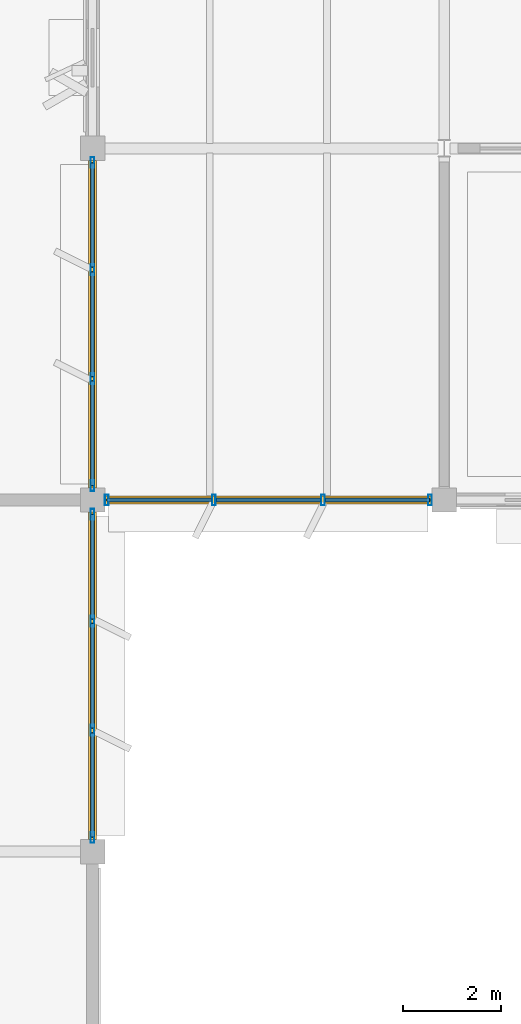
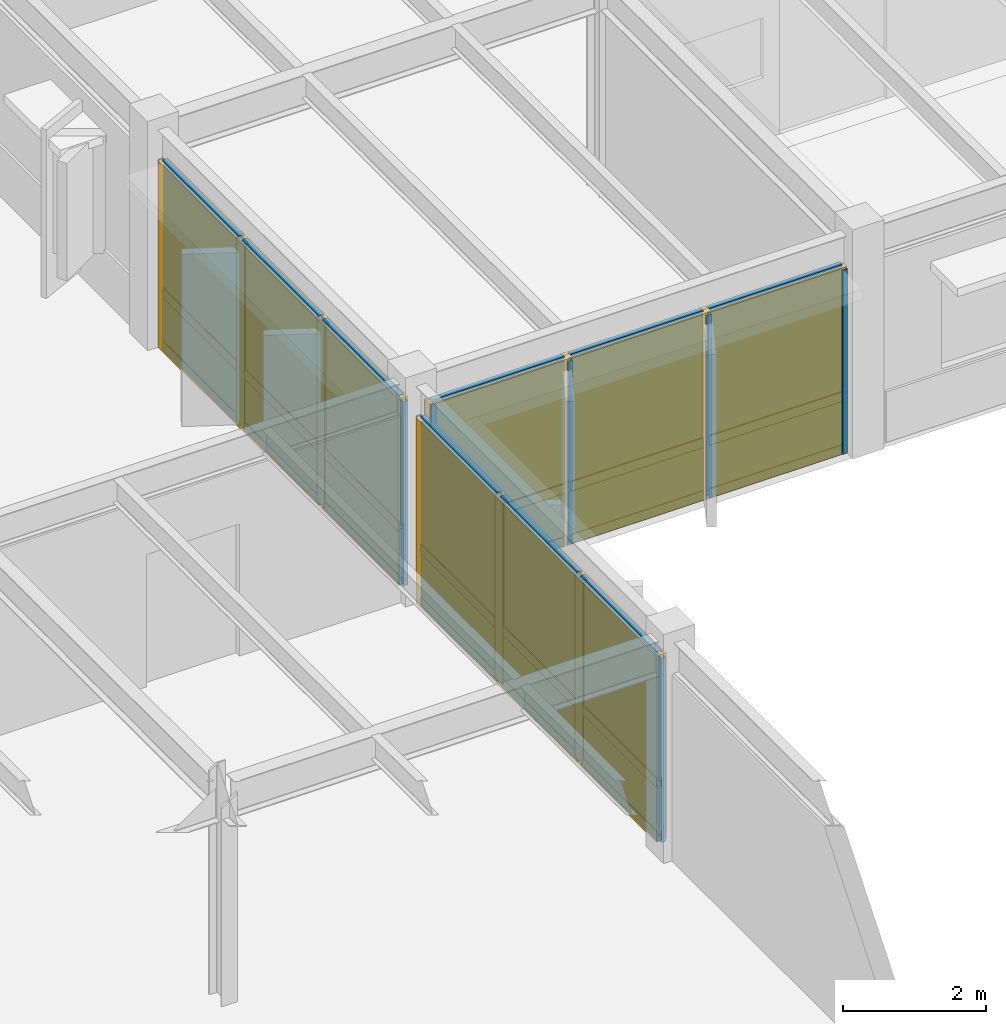
# One storey, part 20 of 35: 39 members, 18 plates, 3 curtain walls.
"""IFC4 building model written with IfcOpenShell, lengths in metres."""

from ifc_helpers import new_model, si_unit, direction, frame, origin, origin_2d, place, context, subcontext, project, spatial, rectangle, hollow_rectangle, extrude, material, layer, layer_set, material_profile, profile_set, type_object, element, aggregate, save


model = new_model("IFC4")

# Units and contexts
model_context = context("Model", 3, precision=1e-05, world=origin(), true_north=direction((0.0, 1.0)))
body_context = subcontext(model_context, "Body", "Model", "MODEL_VIEW")
ifc_project = project(units=[si_unit("LENGTHUNIT", "METRE"), si_unit("AREAUNIT", "SQUARE_METRE"), si_unit("VOLUMEUNIT", "CUBIC_METRE"), si_unit("PLANEANGLEUNIT", "RADIAN"), si_unit("MASSUNIT", "GRAM", prefix="KILO")], contexts=[model_context])

# Member
ifc_material_1 = material(Name="Anodized Aluminium 6063-T6", Category="aluminium")
ifc_material_profile_1 = material_profile(ifc_material_1, hollow_rectangle(XDim=0.074951171875, YDim=0.219970703125, WallThickness=0.0048828125, at=origin_2d()), Name="ALU 75x220x5")
ifc_profile_set_1 = profile_set([ifc_material_profile_1], Name="Anodized Aluminium 6063-T6")
member_type_1 = type_object("IfcMemberType", Name="CWM-75X180", PredefinedType="MULLION", material=ifc_profile_set_1)
site_placement = place(None, origin())
building_placement = place(site_placement, origin())
storey_placement = place(building_placement, frame((0.0, 0.0, 18.0)))
member_1_placement = place(storey_placement, frame((36.0, 78.909912109375, 0.02001953125), z_axis=(0.0, 0.0, 1.0), x_axis=(1.0, 0.0, 0.0)))
member_1 = element("IfcMember", 1, at=member_1_placement, type_object=member_type_1, Name="Curtain wall mullion CW-L05-04-10-E-00", PredefinedType="MULLION", context=body_context, shape_type="SweptSolid", body=[
    extrude(hollow_rectangle(XDim=0.074951171875, YDim=0.219970703125, WallThickness=0.0048828125, at=origin_2d()), origin(), (0.0, 0.0, 1.0), 3.132080078125),
])

member_2_placement = place(storey_placement, frame((36.0, 76.716796875, 0.02001953125), z_axis=(0.0, 0.0, 1.0), x_axis=(1.0, 0.0, 0.0)))
member_2 = element("IfcMember", 2, at=member_2_placement, type_object=member_type_1, Name="Curtain wall mullion CW-L05-04-10-E-01", PredefinedType="MULLION", context=body_context, shape_type="SweptSolid", body=[
    extrude(hollow_rectangle(XDim=0.074951171875, YDim=0.219970703125, WallThickness=0.0048828125, at=origin_2d()), origin(), (0.0, 0.0, 1.0), 3.132080078125),
])

member_3_placement = place(storey_placement, frame((36.0, 74.4833984375, 0.02001953125), z_axis=(0.0, 0.0, 1.0), x_axis=(1.0, 0.0, 0.0)))
member_3 = element("IfcMember", 3, at=member_3_placement, type_object=member_type_1, Name="Curtain wall mullion CW-L05-04-10-E-02", PredefinedType="MULLION", context=body_context, shape_type="SweptSolid", body=[
    extrude(hollow_rectangle(XDim=0.074951171875, YDim=0.219970703125, WallThickness=0.0048828125, at=origin_2d()), origin(), (0.0, 0.0, 1.0), 3.132080078125),
])

member_4_placement = place(storey_placement, frame((36.0, 72.2900390625, 0.02001953125), z_axis=(0.0, 0.0, 1.0), x_axis=(1.0, 0.0, 0.0)))
member_4 = element("IfcMember", 4, at=member_4_placement, type_object=member_type_1, Name="Curtain wall mullion CW-L05-04-10-E-03", PredefinedType="MULLION", context=body_context, shape_type="SweptSolid", body=[
    extrude(hollow_rectangle(XDim=0.074951171875, YDim=0.219970703125, WallThickness=0.0048828125, at=origin_2d()), origin(), (0.0, 0.0, 1.0), 3.132080078125),
])

member_5_placement = place(storey_placement, frame((42.909912109375, 79.199951171875, 0.02001953125), z_axis=(0.0, 0.0, 1.0), x_axis=(1.0, 0.0, 0.0)))
member_5 = element("IfcMember", 5, at=member_5_placement, type_object=member_type_1, Name="Curtain wall mullion CW-L05-05-11-S-00", PredefinedType="MULLION", context=body_context, shape_type="SweptSolid", body=[
    extrude(hollow_rectangle(XDim=0.074951171875, YDim=0.219970703125, WallThickness=0.0048828125, at=origin_2d()), origin(), (0.0, 0.0, 1.0), 3.132080078125),
])

member_6_placement = place(storey_placement, frame((40.716796875, 79.199951171875, 0.02001953125), z_axis=(0.0, 0.0, 1.0), x_axis=(1.0, 0.0, 0.0)))
member_6 = element("IfcMember", 6, at=member_6_placement, type_object=member_type_1, Name="Curtain wall mullion CW-L05-05-11-S-01", PredefinedType="MULLION", context=body_context, shape_type="SweptSolid", body=[
    extrude(hollow_rectangle(XDim=0.074951171875, YDim=0.219970703125, WallThickness=0.0048828125, at=origin_2d()), origin(), (0.0, 0.0, 1.0), 3.132080078125),
])

member_7_placement = place(storey_placement, frame((38.4833984375, 79.199951171875, 0.02001953125), z_axis=(0.0, 0.0, 1.0), x_axis=(1.0, 0.0, 0.0)))
member_7 = element("IfcMember", 7, at=member_7_placement, type_object=member_type_1, Name="Curtain wall mullion CW-L05-05-11-S-02", PredefinedType="MULLION", context=body_context, shape_type="SweptSolid", body=[
    extrude(hollow_rectangle(XDim=0.074951171875, YDim=0.219970703125, WallThickness=0.0048828125, at=origin_2d()), origin(), (0.0, 0.0, 1.0), 3.132080078125),
])

member_8_placement = place(storey_placement, frame((36.2900390625, 79.199951171875, 0.02001953125), z_axis=(0.0, 0.0, 1.0), x_axis=(1.0, 0.0, 0.0)))
member_8 = element("IfcMember", 8, at=member_8_placement, type_object=member_type_1, Name="Curtain wall mullion CW-L05-05-11-S-03", PredefinedType="MULLION", context=body_context, shape_type="SweptSolid", body=[
    extrude(hollow_rectangle(XDim=0.074951171875, YDim=0.219970703125, WallThickness=0.0048828125, at=origin_2d()), origin(), (0.0, 0.0, 1.0), 3.132080078125),
])

member_9_placement = place(storey_placement, frame((36.0, 79.489990234375, 0.02001953125), z_axis=(0.0, 0.0, 1.0), x_axis=(1.0, 0.0, 0.0)))
member_9 = element("IfcMember", 9, at=member_9_placement, type_object=member_type_1, Name="Curtain wall mullion CW-L05-05-11-W-00", PredefinedType="MULLION", context=body_context, shape_type="SweptSolid", body=[
    extrude(hollow_rectangle(XDim=0.074951171875, YDim=0.219970703125, WallThickness=0.0048828125, at=origin_2d()), origin(), (0.0, 0.0, 1.0), 3.132080078125),
])

member_10_placement = place(storey_placement, frame((36.0, 81.683349609375, 0.02001953125), z_axis=(0.0, 0.0, 1.0), x_axis=(1.0, 0.0, 0.0)))
member_10 = element("IfcMember", 10, at=member_10_placement, type_object=member_type_1, Name="Curtain wall mullion CW-L05-05-11-W-01", PredefinedType="MULLION", context=body_context, shape_type="SweptSolid", body=[
    extrude(hollow_rectangle(XDim=0.074951171875, YDim=0.219970703125, WallThickness=0.0048828125, at=origin_2d()), origin(), (0.0, 0.0, 1.0), 3.132080078125),
])

member_11_placement = place(storey_placement, frame((36.0, 83.916748046875, 0.02001953125), z_axis=(0.0, 0.0, 1.0), x_axis=(1.0, 0.0, 0.0)))
member_11 = element("IfcMember", 11, at=member_11_placement, type_object=member_type_1, Name="Curtain wall mullion CW-L05-05-11-W-02", PredefinedType="MULLION", context=body_context, shape_type="SweptSolid", body=[
    extrude(hollow_rectangle(XDim=0.074951171875, YDim=0.219970703125, WallThickness=0.0048828125, at=origin_2d()), origin(), (0.0, 0.0, 1.0), 3.132080078125),
])

member_12_placement = place(storey_placement, frame((36.0, 86.110107421875, 0.02001953125), z_axis=(0.0, 0.0, 1.0), x_axis=(1.0, 0.0, 0.0)))
member_12 = element("IfcMember", 12, at=member_12_placement, type_object=member_type_1, Name="Curtain wall mullion CW-L05-05-11-W-03", PredefinedType="MULLION", context=body_context, shape_type="SweptSolid", body=[
    extrude(hollow_rectangle(XDim=0.074951171875, YDim=0.219970703125, WallThickness=0.0048828125, at=origin_2d()), origin(), (0.0, 0.0, 1.0), 3.132080078125),
])

ifc_material_profile_2 = material_profile(ifc_material_1, hollow_rectangle(XDim=0.074951171875, YDim=0.159912109375, WallThickness=0.00390625, at=origin_2d()), Name="ALU 75x160x4")
ifc_profile_set_2 = profile_set([ifc_material_profile_2], Name="Anodized Aluminium 6063-T6")
member_type_2 = type_object("IfcMemberType", Name="CWT-75X150", PredefinedType="USERDEFINED", material=ifc_profile_set_2)
member_13_placement = place(storey_placement, frame((36.0, 78.89990234375, 0.050048828125), z_axis=(0.0, -1.0, 0.0), x_axis=(1.0, 0.0, 0.0)))
member_13 = element("IfcMember", 13, at=member_13_placement, type_object=member_type_2, Name="Curtain wall transom CW-L05-04-10-E-1.01", ObjectType="TRANSOM", PredefinedType="USERDEFINED", context=body_context, shape_type="SweptSolid", body=[
    extrude(hollow_rectangle(XDim=0.074951171875, YDim=0.159912109375, WallThickness=0.00390625, at=origin_2d()), origin(), (0.0, 0.0, 1.0), 2.13330078125),
])

member_14_placement = place(storey_placement, frame((36.0, 76.666748046875, 0.050048828125), z_axis=(0.0, -1.0, 0.0), x_axis=(1.0, 0.0, 0.0)))
member_14 = element("IfcMember", 14, at=member_14_placement, type_object=member_type_2, Name="Curtain wall transom CW-L05-04-10-E-1.02", ObjectType="TRANSOM", PredefinedType="USERDEFINED", context=body_context, shape_type="SweptSolid", body=[
    extrude(hollow_rectangle(XDim=0.074951171875, YDim=0.159912109375, WallThickness=0.00390625, at=origin_2d()), origin(), (0.0, 0.0, 1.0), 2.133544921875),
])

member_15_placement = place(storey_placement, frame((36.0, 74.433349609375, 0.050048828125), z_axis=(0.0, -1.0, 0.0), x_axis=(1.0, 0.0, 0.0)))
member_15 = element("IfcMember", 15, at=member_15_placement, type_object=member_type_2, Name="Curtain wall transom CW-L05-04-10-E-1.03", ObjectType="TRANSOM", PredefinedType="USERDEFINED", context=body_context, shape_type="SweptSolid", body=[
    extrude(hollow_rectangle(XDim=0.074951171875, YDim=0.159912109375, WallThickness=0.00390625, at=origin_2d()), origin(), (0.0, 0.0, 1.0), 2.13330078125),
])

member_16_placement = place(storey_placement, frame((36.0, 78.89990234375, 0.949951171875), z_axis=(0.0, -1.0, 0.0), x_axis=(1.0, 0.0, 0.0)))
member_16 = element("IfcMember", 16, at=member_16_placement, type_object=member_type_2, Name="Curtain wall transom CW-L05-04-10-E-2.01", ObjectType="TRANSOM", PredefinedType="USERDEFINED", context=body_context, shape_type="SweptSolid", body=[
    extrude(hollow_rectangle(XDim=0.074951171875, YDim=0.159912109375, WallThickness=0.00390625, at=origin_2d()), origin(), (0.0, 0.0, 1.0), 2.13330078125),
])

member_17_placement = place(storey_placement, frame((36.0, 76.666748046875, 0.949951171875), z_axis=(0.0, -1.0, 0.0), x_axis=(1.0, 0.0, 0.0)))
member_17 = element("IfcMember", 17, at=member_17_placement, type_object=member_type_2, Name="Curtain wall transom CW-L05-04-10-E-2.02", ObjectType="TRANSOM", PredefinedType="USERDEFINED", context=body_context, shape_type="SweptSolid", body=[
    extrude(hollow_rectangle(XDim=0.074951171875, YDim=0.159912109375, WallThickness=0.00390625, at=origin_2d()), origin(), (0.0, 0.0, 1.0), 2.133544921875),
])

member_18_placement = place(storey_placement, frame((36.0, 74.433349609375, 0.949951171875), z_axis=(0.0, -1.0, 0.0), x_axis=(1.0, 0.0, 0.0)))
member_18 = element("IfcMember", 18, at=member_18_placement, type_object=member_type_2, Name="Curtain wall transom CW-L05-04-10-E-2.03", ObjectType="TRANSOM", PredefinedType="USERDEFINED", context=body_context, shape_type="SweptSolid", body=[
    extrude(hollow_rectangle(XDim=0.074951171875, YDim=0.159912109375, WallThickness=0.00390625, at=origin_2d()), origin(), (0.0, 0.0, 1.0), 2.13330078125),
])

member_19_placement = place(storey_placement, frame((36.0, 78.89990234375, 3.1220703125), z_axis=(0.0, -1.0, 0.0), x_axis=(1.0, 0.0, 0.0)))
member_19 = element("IfcMember", 19, at=member_19_placement, type_object=member_type_2, Name="Curtain wall transom CW-L05-04-10-E-3.01", ObjectType="TRANSOM", PredefinedType="USERDEFINED", context=body_context, shape_type="SweptSolid", body=[
    extrude(hollow_rectangle(XDim=0.074951171875, YDim=0.159912109375, WallThickness=0.00390625, at=origin_2d()), origin(), (0.0, 0.0, 1.0), 2.13330078125),
])

member_20_placement = place(storey_placement, frame((36.0, 76.666748046875, 3.1220703125), z_axis=(0.0, -1.0, 0.0), x_axis=(1.0, 0.0, 0.0)))
member_20 = element("IfcMember", 20, at=member_20_placement, type_object=member_type_2, Name="Curtain wall transom CW-L05-04-10-E-3.02", ObjectType="TRANSOM", PredefinedType="USERDEFINED", context=body_context, shape_type="SweptSolid", body=[
    extrude(hollow_rectangle(XDim=0.074951171875, YDim=0.159912109375, WallThickness=0.00390625, at=origin_2d()), origin(), (0.0, 0.0, 1.0), 2.133544921875),
])

member_21_placement = place(storey_placement, frame((36.0, 74.433349609375, 3.1220703125), z_axis=(0.0, -1.0, 0.0), x_axis=(1.0, 0.0, 0.0)))
member_21 = element("IfcMember", 21, at=member_21_placement, type_object=member_type_2, Name="Curtain wall transom CW-L05-04-10-E-3.03", ObjectType="TRANSOM", PredefinedType="USERDEFINED", context=body_context, shape_type="SweptSolid", body=[
    extrude(hollow_rectangle(XDim=0.074951171875, YDim=0.159912109375, WallThickness=0.00390625, at=origin_2d()), origin(), (0.0, 0.0, 1.0), 2.13330078125),
])

member_22_placement = place(storey_placement, frame((42.89990234375, 79.199951171875, 0.050048828125), z_axis=(-1.0, 0.0, 0.0), x_axis=(0.0, -1.0, 0.0)))
member_22 = element("IfcMember", 22, at=member_22_placement, type_object=member_type_2, Name="Curtain wall transom CW-L05-05-11-S-1.01", ObjectType="TRANSOM", PredefinedType="USERDEFINED", context=body_context, shape_type="SweptSolid", body=[
    extrude(hollow_rectangle(XDim=0.074951171875, YDim=0.159912109375, WallThickness=0.00390625, at=origin_2d()), origin(), (0.0, 0.0, 1.0), 2.13330078125),
])

member_23_placement = place(storey_placement, frame((40.666748046875, 79.199951171875, 0.050048828125), z_axis=(-1.0, 0.0, 0.0), x_axis=(0.0, -1.0, 0.0)))
member_23 = element("IfcMember", 23, at=member_23_placement, type_object=member_type_2, Name="Curtain wall transom CW-L05-05-11-S-1.02", ObjectType="TRANSOM", PredefinedType="USERDEFINED", context=body_context, shape_type="SweptSolid", body=[
    extrude(hollow_rectangle(XDim=0.074951171875, YDim=0.159912109375, WallThickness=0.00390625, at=origin_2d()), origin(), (0.0, 0.0, 1.0), 2.133544921875),
])

member_24_placement = place(storey_placement, frame((38.433349609375, 79.199951171875, 0.050048828125), z_axis=(-1.0, 0.0, 0.0), x_axis=(0.0, -1.0, 0.0)))
member_24 = element("IfcMember", 24, at=member_24_placement, type_object=member_type_2, Name="Curtain wall transom CW-L05-05-11-S-1.03", ObjectType="TRANSOM", PredefinedType="USERDEFINED", context=body_context, shape_type="SweptSolid", body=[
    extrude(hollow_rectangle(XDim=0.074951171875, YDim=0.159912109375, WallThickness=0.00390625, at=origin_2d()), origin(), (0.0, 0.0, 1.0), 2.13330078125),
])

member_25_placement = place(storey_placement, frame((42.89990234375, 79.199951171875, 0.949951171875), z_axis=(-1.0, 0.0, 0.0), x_axis=(0.0, -1.0, 0.0)))
member_25 = element("IfcMember", 25, at=member_25_placement, type_object=member_type_2, Name="Curtain wall transom CW-L05-05-11-S-2.01", ObjectType="TRANSOM", PredefinedType="USERDEFINED", context=body_context, shape_type="SweptSolid", body=[
    extrude(hollow_rectangle(XDim=0.074951171875, YDim=0.159912109375, WallThickness=0.00390625, at=origin_2d()), origin(), (0.0, 0.0, 1.0), 2.13330078125),
])

member_26_placement = place(storey_placement, frame((40.666748046875, 79.199951171875, 0.949951171875), z_axis=(-1.0, 0.0, 0.0), x_axis=(0.0, -1.0, 0.0)))
member_26 = element("IfcMember", 26, at=member_26_placement, type_object=member_type_2, Name="Curtain wall transom CW-L05-05-11-S-2.02", ObjectType="TRANSOM", PredefinedType="USERDEFINED", context=body_context, shape_type="SweptSolid", body=[
    extrude(hollow_rectangle(XDim=0.074951171875, YDim=0.159912109375, WallThickness=0.00390625, at=origin_2d()), origin(), (0.0, 0.0, 1.0), 2.133544921875),
])

member_27_placement = place(storey_placement, frame((38.433349609375, 79.199951171875, 0.949951171875), z_axis=(-1.0, 0.0, 0.0), x_axis=(0.0, -1.0, 0.0)))
member_27 = element("IfcMember", 27, at=member_27_placement, type_object=member_type_2, Name="Curtain wall transom CW-L05-05-11-S-2.03", ObjectType="TRANSOM", PredefinedType="USERDEFINED", context=body_context, shape_type="SweptSolid", body=[
    extrude(hollow_rectangle(XDim=0.074951171875, YDim=0.159912109375, WallThickness=0.00390625, at=origin_2d()), origin(), (0.0, 0.0, 1.0), 2.13330078125),
])

member_28_placement = place(storey_placement, frame((42.89990234375, 79.199951171875, 3.1220703125), z_axis=(-1.0, 0.0, 0.0), x_axis=(0.0, -1.0, 0.0)))
member_28 = element("IfcMember", 28, at=member_28_placement, type_object=member_type_2, Name="Curtain wall transom CW-L05-05-11-S-3.01", ObjectType="TRANSOM", PredefinedType="USERDEFINED", context=body_context, shape_type="SweptSolid", body=[
    extrude(hollow_rectangle(XDim=0.074951171875, YDim=0.159912109375, WallThickness=0.00390625, at=origin_2d()), origin(), (0.0, 0.0, 1.0), 2.13330078125),
])

member_29_placement = place(storey_placement, frame((40.666748046875, 79.199951171875, 3.1220703125), z_axis=(-1.0, 0.0, 0.0), x_axis=(0.0, -1.0, 0.0)))
member_29 = element("IfcMember", 29, at=member_29_placement, type_object=member_type_2, Name="Curtain wall transom CW-L05-05-11-S-3.02", ObjectType="TRANSOM", PredefinedType="USERDEFINED", context=body_context, shape_type="SweptSolid", body=[
    extrude(hollow_rectangle(XDim=0.074951171875, YDim=0.159912109375, WallThickness=0.00390625, at=origin_2d()), origin(), (0.0, 0.0, 1.0), 2.133544921875),
])

member_30_placement = place(storey_placement, frame((38.433349609375, 79.199951171875, 3.1220703125), z_axis=(-1.0, 0.0, 0.0), x_axis=(0.0, -1.0, 0.0)))
member_30 = element("IfcMember", 30, at=member_30_placement, type_object=member_type_2, Name="Curtain wall transom CW-L05-05-11-S-3.03", ObjectType="TRANSOM", PredefinedType="USERDEFINED", context=body_context, shape_type="SweptSolid", body=[
    extrude(hollow_rectangle(XDim=0.074951171875, YDim=0.159912109375, WallThickness=0.00390625, at=origin_2d()), origin(), (0.0, 0.0, 1.0), 2.13330078125),
])

member_31_placement = place(storey_placement, frame((36.0, 79.5, 0.050048828125), z_axis=(0.0, 1.0, 0.0), x_axis=(-1.0, 0.0, 0.0)))
member_31 = element("IfcMember", 31, at=member_31_placement, type_object=member_type_2, Name="Curtain wall transom CW-L05-05-11-W-1.01", ObjectType="TRANSOM", PredefinedType="USERDEFINED", context=body_context, shape_type="SweptSolid", body=[
    extrude(hollow_rectangle(XDim=0.074951171875, YDim=0.159912109375, WallThickness=0.00390625, at=origin_2d()), origin(), (0.0, 0.0, 1.0), 2.13330078125),
])

member_32_placement = place(storey_placement, frame((36.0, 81.7333984375, 0.050048828125), z_axis=(0.0, 1.0, 0.0), x_axis=(-1.0, 0.0, 0.0)))
member_32 = element("IfcMember", 32, at=member_32_placement, type_object=member_type_2, Name="Curtain wall transom CW-L05-05-11-W-1.02", ObjectType="TRANSOM", PredefinedType="USERDEFINED", context=body_context, shape_type="SweptSolid", body=[
    extrude(hollow_rectangle(XDim=0.074951171875, YDim=0.159912109375, WallThickness=0.00390625, at=origin_2d()), origin(), (0.0, 0.0, 1.0), 2.13330078125),
])

member_33_placement = place(storey_placement, frame((36.0, 83.966796875, 0.050048828125), z_axis=(0.0, 1.0, 0.0), x_axis=(-1.0, 0.0, 0.0)))
member_33 = element("IfcMember", 33, at=member_33_placement, type_object=member_type_2, Name="Curtain wall transom CW-L05-05-11-W-1.03", ObjectType="TRANSOM", PredefinedType="USERDEFINED", context=body_context, shape_type="SweptSolid", body=[
    extrude(hollow_rectangle(XDim=0.074951171875, YDim=0.159912109375, WallThickness=0.00390625, at=origin_2d()), origin(), (0.0, 0.0, 1.0), 2.13330078125),
])

member_34_placement = place(storey_placement, frame((36.0, 79.5, 0.949951171875), z_axis=(0.0, 1.0, 0.0), x_axis=(-1.0, 0.0, 0.0)))
member_34 = element("IfcMember", 34, at=member_34_placement, type_object=member_type_2, Name="Curtain wall transom CW-L05-05-11-W-2.01", ObjectType="TRANSOM", PredefinedType="USERDEFINED", context=body_context, shape_type="SweptSolid", body=[
    extrude(hollow_rectangle(XDim=0.074951171875, YDim=0.159912109375, WallThickness=0.00390625, at=origin_2d()), origin(), (0.0, 0.0, 1.0), 2.13330078125),
])

member_35_placement = place(storey_placement, frame((36.0, 81.7333984375, 0.949951171875), z_axis=(0.0, 1.0, 0.0), x_axis=(-1.0, 0.0, 0.0)))
member_35 = element("IfcMember", 35, at=member_35_placement, type_object=member_type_2, Name="Curtain wall transom CW-L05-05-11-W-2.02", ObjectType="TRANSOM", PredefinedType="USERDEFINED", context=body_context, shape_type="SweptSolid", body=[
    extrude(hollow_rectangle(XDim=0.074951171875, YDim=0.159912109375, WallThickness=0.00390625, at=origin_2d()), origin(), (0.0, 0.0, 1.0), 2.13330078125),
])

member_36_placement = place(storey_placement, frame((36.0, 83.966796875, 0.949951171875), z_axis=(0.0, 1.0, 0.0), x_axis=(-1.0, 0.0, 0.0)))
member_36 = element("IfcMember", 36, at=member_36_placement, type_object=member_type_2, Name="Curtain wall transom CW-L05-05-11-W-2.03", ObjectType="TRANSOM", PredefinedType="USERDEFINED", context=body_context, shape_type="SweptSolid", body=[
    extrude(hollow_rectangle(XDim=0.074951171875, YDim=0.159912109375, WallThickness=0.00390625, at=origin_2d()), origin(), (0.0, 0.0, 1.0), 2.13330078125),
])

member_37_placement = place(storey_placement, frame((36.0, 79.5, 3.1220703125), z_axis=(0.0, 1.0, 0.0), x_axis=(-1.0, 0.0, 0.0)))
member_37 = element("IfcMember", 37, at=member_37_placement, type_object=member_type_2, Name="Curtain wall transom CW-L05-05-11-W-3.01", ObjectType="TRANSOM", PredefinedType="USERDEFINED", context=body_context, shape_type="SweptSolid", body=[
    extrude(hollow_rectangle(XDim=0.074951171875, YDim=0.159912109375, WallThickness=0.00390625, at=origin_2d()), origin(), (0.0, 0.0, 1.0), 2.13330078125),
])

member_38_placement = place(storey_placement, frame((36.0, 81.7333984375, 3.1220703125), z_axis=(0.0, 1.0, 0.0), x_axis=(-1.0, 0.0, 0.0)))
member_38 = element("IfcMember", 38, at=member_38_placement, type_object=member_type_2, Name="Curtain wall transom CW-L05-05-11-W-3.02", ObjectType="TRANSOM", PredefinedType="USERDEFINED", context=body_context, shape_type="SweptSolid", body=[
    extrude(hollow_rectangle(XDim=0.074951171875, YDim=0.159912109375, WallThickness=0.00390625, at=origin_2d()), origin(), (0.0, 0.0, 1.0), 2.13330078125),
])

member_39_placement = place(storey_placement, frame((36.0, 83.966796875, 3.1220703125), z_axis=(0.0, 1.0, 0.0), x_axis=(-1.0, 0.0, 0.0)))
member_39 = element("IfcMember", 39, at=member_39_placement, type_object=member_type_2, Name="Curtain wall transom CW-L05-05-11-W-3.03", ObjectType="TRANSOM", PredefinedType="USERDEFINED", context=body_context, shape_type="SweptSolid", body=[
    extrude(hollow_rectangle(XDim=0.074951171875, YDim=0.159912109375, WallThickness=0.00390625, at=origin_2d()), origin(), (0.0, 0.0, 1.0), 2.13330078125),
])

# Plate
ifc_material_2 = material(Name="Acoustic Laminated Low-E Glazing", Category="glass")
ifc_layer_1 = layer(ifc_material_2, 0.0439453125)
ifc_layer_set_1 = layer_set([ifc_layer_1], Name="Acoustic Laminated Low-E Glazing")
plate_type_1 = type_object("IfcPlateType", Name="CWP-IGU-44", PredefinedType="CURTAIN_PANEL", material=ifc_layer_set_1)
plate_1_placement = place(storey_placement, frame((36.0, 77.833251953125, 0.989990234375), z_axis=(0.0, 0.0, 1.0), x_axis=(0.0, -1.0, 0.0)))
plate_1 = element("IfcPlate", 40, at=plate_1_placement, type_object=plate_type_1, Name="Curtain wall vision glazing CW-L05-04-10-E-01", PredefinedType="CURTAIN_PANEL", context=body_context, shape_type="SweptSolid", body=[
    extrude(rectangle(XDim=2.143310546875, YDim=0.0400390625, at=origin_2d()), origin(), (0.0, 0.0, 1.0), 2.1220703125),
])

plate_2_placement = place(storey_placement, frame((36.0, 75.60009765625, 0.989990234375), z_axis=(0.0, 0.0, 1.0), x_axis=(0.0, -1.0, 0.0)))
plate_2 = element("IfcPlate", 41, at=plate_2_placement, type_object=plate_type_1, Name="Curtain wall vision glazing CW-L05-04-10-E-02", PredefinedType="CURTAIN_PANEL", context=body_context, shape_type="SweptSolid", body=[
    extrude(rectangle(XDim=2.143310546875, YDim=0.0400390625, at=origin_2d()), origin(), (0.0, 0.0, 1.0), 2.1220703125),
])

plate_3_placement = place(storey_placement, frame((36.0, 73.36669921875, 0.989990234375), z_axis=(0.0, 0.0, 1.0), x_axis=(0.0, -1.0, 0.0)))
plate_3 = element("IfcPlate", 42, at=plate_3_placement, type_object=plate_type_1, Name="Curtain wall vision glazing CW-L05-04-10-E-03", PredefinedType="CURTAIN_PANEL", context=body_context, shape_type="SweptSolid", body=[
    extrude(rectangle(XDim=2.143310546875, YDim=0.0400390625, at=origin_2d()), origin(), (0.0, 0.0, 1.0), 2.1220703125),
])

plate_4_placement = place(storey_placement, frame((41.833251953125, 79.199951171875, 0.989990234375), z_axis=(0.0, 0.0, 1.0), x_axis=(-1.0, 0.0, 0.0)))
plate_4 = element("IfcPlate", 43, at=plate_4_placement, type_object=plate_type_1, Name="Curtain wall vision glazing CW-L05-05-11-S-01", PredefinedType="CURTAIN_PANEL", context=body_context, shape_type="SweptSolid", body=[
    extrude(rectangle(XDim=2.143310546875, YDim=0.0400390625, at=origin_2d()), origin(), (0.0, 0.0, 1.0), 2.1220703125),
])

plate_5_placement = place(storey_placement, frame((39.60009765625, 79.199951171875, 0.989990234375), z_axis=(0.0, 0.0, 1.0), x_axis=(-1.0, 0.0, 0.0)))
plate_5 = element("IfcPlate", 44, at=plate_5_placement, type_object=plate_type_1, Name="Curtain wall vision glazing CW-L05-05-11-S-02", PredefinedType="CURTAIN_PANEL", context=body_context, shape_type="SweptSolid", body=[
    extrude(rectangle(XDim=2.143310546875, YDim=0.0400390625, at=origin_2d()), origin(), (0.0, 0.0, 1.0), 2.1220703125),
])

plate_6_placement = place(storey_placement, frame((37.36669921875, 79.199951171875, 0.989990234375), z_axis=(0.0, 0.0, 1.0), x_axis=(-1.0, 0.0, 0.0)))
plate_6 = element("IfcPlate", 45, at=plate_6_placement, type_object=plate_type_1, Name="Curtain wall vision glazing CW-L05-05-11-S-03", PredefinedType="CURTAIN_PANEL", context=body_context, shape_type="SweptSolid", body=[
    extrude(rectangle(XDim=2.143310546875, YDim=0.0400390625, at=origin_2d()), origin(), (0.0, 0.0, 1.0), 2.1220703125),
])

plate_7_placement = place(storey_placement, frame((36.0, 80.566650390625, 0.989990234375), z_axis=(0.0, 0.0, 1.0), x_axis=(0.0, 1.0, 0.0)))
plate_7 = element("IfcPlate", 46, at=plate_7_placement, type_object=plate_type_1, Name="Curtain wall vision glazing CW-L05-05-11-W-01", PredefinedType="CURTAIN_PANEL", context=body_context, shape_type="SweptSolid", body=[
    extrude(rectangle(XDim=2.143310546875, YDim=0.0400390625, at=origin_2d()), origin(), (0.0, 0.0, 1.0), 2.1220703125),
])

plate_8_placement = place(storey_placement, frame((36.0, 82.800048828125, 0.989990234375), z_axis=(0.0, 0.0, 1.0), x_axis=(0.0, 1.0, 0.0)))
plate_8 = element("IfcPlate", 47, at=plate_8_placement, type_object=plate_type_1, Name="Curtain wall vision glazing CW-L05-05-11-W-02", PredefinedType="CURTAIN_PANEL", context=body_context, shape_type="SweptSolid", body=[
    extrude(rectangle(XDim=2.143310546875, YDim=0.0400390625, at=origin_2d()), origin(), (0.0, 0.0, 1.0), 2.1220703125),
])

plate_9_placement = place(storey_placement, frame((36.0, 85.033203125, 0.989990234375), z_axis=(0.0, 0.0, 1.0), x_axis=(0.0, 1.0, 0.0)))
plate_9 = element("IfcPlate", 48, at=plate_9_placement, type_object=plate_type_1, Name="Curtain wall vision glazing CW-L05-05-11-W-03", PredefinedType="CURTAIN_PANEL", context=body_context, shape_type="SweptSolid", body=[
    extrude(rectangle(XDim=2.143310546875, YDim=0.0400390625, at=origin_2d()), origin(), (0.0, 0.0, 1.0), 2.1220703125),
])

ifc_material_3 = material(Name="Insulated Stone-Composite Spandrel", Category="masonry")
ifc_layer_2 = layer(ifc_material_3, 0.068115234375)
ifc_layer_set_2 = layer_set([ifc_layer_2], Name="Insulated Stone-Composite Spandrel")
plate_type_2 = type_object("IfcPlateType", Name="CWP-SPN-68", PredefinedType="CURTAIN_PANEL", material=ifc_layer_set_2)
plate_10_placement = place(storey_placement, frame((36.0, 77.833251953125, 0.080078125), z_axis=(0.0, 0.0, 1.0), x_axis=(0.0, -1.0, 0.0)))
plate_10 = element("IfcPlate", 49, at=plate_10_placement, type_object=plate_type_2, Name="Curtain wall spandrel panel CW-L05-04-10-E-01", PredefinedType="CURTAIN_PANEL", context=body_context, shape_type="SweptSolid", body=[
    extrude(rectangle(XDim=2.143310546875, YDim=0.06005859375, at=origin_2d()), origin(), (0.0, 0.0, 1.0), 0.840087890625),
])

plate_11_placement = place(storey_placement, frame((36.0, 75.60009765625, 0.080078125), z_axis=(0.0, 0.0, 1.0), x_axis=(0.0, -1.0, 0.0)))
plate_11 = element("IfcPlate", 50, at=plate_11_placement, type_object=plate_type_2, Name="Curtain wall spandrel panel CW-L05-04-10-E-02", PredefinedType="CURTAIN_PANEL", context=body_context, shape_type="SweptSolid", body=[
    extrude(rectangle(XDim=2.143310546875, YDim=0.06005859375, at=origin_2d()), origin(), (0.0, 0.0, 1.0), 0.840087890625),
])

plate_12_placement = place(storey_placement, frame((36.0, 73.36669921875, 0.080078125), z_axis=(0.0, 0.0, 1.0), x_axis=(0.0, -1.0, 0.0)))
plate_12 = element("IfcPlate", 51, at=plate_12_placement, type_object=plate_type_2, Name="Curtain wall spandrel panel CW-L05-04-10-E-03", PredefinedType="CURTAIN_PANEL", context=body_context, shape_type="SweptSolid", body=[
    extrude(rectangle(XDim=2.143310546875, YDim=0.06005859375, at=origin_2d()), origin(), (0.0, 0.0, 1.0), 0.840087890625),
])

plate_13_placement = place(storey_placement, frame((41.833251953125, 79.199951171875, 0.080078125), z_axis=(0.0, 0.0, 1.0), x_axis=(-1.0, 0.0, 0.0)))
plate_13 = element("IfcPlate", 52, at=plate_13_placement, type_object=plate_type_2, Name="Curtain wall spandrel panel CW-L05-05-11-S-01", PredefinedType="CURTAIN_PANEL", context=body_context, shape_type="SweptSolid", body=[
    extrude(rectangle(XDim=2.143310546875, YDim=0.06005859375, at=origin_2d()), origin(), (0.0, 0.0, 1.0), 0.840087890625),
])

plate_14_placement = place(storey_placement, frame((39.60009765625, 79.199951171875, 0.080078125), z_axis=(0.0, 0.0, 1.0), x_axis=(-1.0, 0.0, 0.0)))
plate_14 = element("IfcPlate", 53, at=plate_14_placement, type_object=plate_type_2, Name="Curtain wall spandrel panel CW-L05-05-11-S-02", PredefinedType="CURTAIN_PANEL", context=body_context, shape_type="SweptSolid", body=[
    extrude(rectangle(XDim=2.143310546875, YDim=0.06005859375, at=origin_2d()), origin(), (0.0, 0.0, 1.0), 0.840087890625),
])

plate_15_placement = place(storey_placement, frame((37.36669921875, 79.199951171875, 0.080078125), z_axis=(0.0, 0.0, 1.0), x_axis=(-1.0, 0.0, 0.0)))
plate_15 = element("IfcPlate", 54, at=plate_15_placement, type_object=plate_type_2, Name="Curtain wall spandrel panel CW-L05-05-11-S-03", PredefinedType="CURTAIN_PANEL", context=body_context, shape_type="SweptSolid", body=[
    extrude(rectangle(XDim=2.143310546875, YDim=0.06005859375, at=origin_2d()), origin(), (0.0, 0.0, 1.0), 0.840087890625),
])

plate_16_placement = place(storey_placement, frame((36.0, 80.566650390625, 0.080078125), z_axis=(0.0, 0.0, 1.0), x_axis=(0.0, 1.0, 0.0)))
plate_16 = element("IfcPlate", 55, at=plate_16_placement, type_object=plate_type_2, Name="Curtain wall spandrel panel CW-L05-05-11-W-01", PredefinedType="CURTAIN_PANEL", context=body_context, shape_type="SweptSolid", body=[
    extrude(rectangle(XDim=2.143310546875, YDim=0.06005859375, at=origin_2d()), origin(), (0.0, 0.0, 1.0), 0.840087890625),
])

plate_17_placement = place(storey_placement, frame((36.0, 82.800048828125, 0.080078125), z_axis=(0.0, 0.0, 1.0), x_axis=(0.0, 1.0, 0.0)))
plate_17 = element("IfcPlate", 56, at=plate_17_placement, type_object=plate_type_2, Name="Curtain wall spandrel panel CW-L05-05-11-W-02", PredefinedType="CURTAIN_PANEL", context=body_context, shape_type="SweptSolid", body=[
    extrude(rectangle(XDim=2.143310546875, YDim=0.06005859375, at=origin_2d()), origin(), (0.0, 0.0, 1.0), 0.840087890625),
])

plate_18_placement = place(storey_placement, frame((36.0, 85.033203125, 0.080078125), z_axis=(0.0, 0.0, 1.0), x_axis=(0.0, 1.0, 0.0)))
plate_18 = element("IfcPlate", 57, at=plate_18_placement, type_object=plate_type_2, Name="Curtain wall spandrel panel CW-L05-05-11-W-03", PredefinedType="CURTAIN_PANEL", context=body_context, shape_type="SweptSolid", body=[
    extrude(rectangle(XDim=2.143310546875, YDim=0.06005859375, at=origin_2d()), origin(), (0.0, 0.0, 1.0), 0.840087890625),
])

# Site, building, storey
site = spatial("IfcSite", under=ifc_project, at=site_placement, CompositionType="ELEMENT")
building = spatial("IfcBuilding", under=site, at=building_placement, Name="Sillqori Civic Hall", CompositionType="ELEMENT")
storey = spatial("IfcBuildingStorey", under=building, at=storey_placement, Name="L05", CompositionType="ELEMENT", Elevation=18.0)

# Curtain wall
ifc_material_4 = material(Name="Anodized Aluminium Curtain Wall System", Category="aluminium")
curtain_wall_type = type_object("IfcCurtainWallType", Name="CW-AD-370", PredefinedType="NOTDEFINED", material=ifc_material_4)
curtain_wall_1_placement = place(storey_placement, frame((36.0, 75.60009765625, 0.0), z_axis=(0.0, 0.0, 1.0), x_axis=(0.0, -1.0, 0.0)))
curtain_wall_1 = element("IfcCurtainWall", 58, at=curtain_wall_1_placement, inside=storey, type_object=curtain_wall_type, Name="L05 unitised curtain wall CW-L05-04-10-E", PredefinedType="NOTDEFINED", context=body_context, shape_type="SweptSolid", body=[
    extrude(rectangle(XDim=6.699951171875, YDim=0.159912109375, at=origin_2d()), origin(), (0.0, 0.0, 1.0), 3.172119140625),
])

aggregate(curtain_wall_1, [member_1, member_2, member_3, member_4, member_13, member_14, member_15, member_16, member_17, member_18, member_19, member_20, member_21, plate_10, plate_1, plate_11, plate_2, plate_12, plate_3])

curtain_wall_2_placement = place(storey_placement, frame((39.60009765625, 79.199951171875, 0.0), z_axis=(0.0, 0.0, 1.0), x_axis=(-1.0, 0.0, 0.0)))
curtain_wall_2 = element("IfcCurtainWall", 59, at=curtain_wall_2_placement, inside=storey, type_object=curtain_wall_type, Name="L05 unitised curtain wall CW-L05-05-11-S", PredefinedType="NOTDEFINED", context=body_context, shape_type="SweptSolid", body=[
    extrude(rectangle(XDim=6.699951171875, YDim=0.159912109375, at=origin_2d()), origin(), (0.0, 0.0, 1.0), 3.172119140625),
])

aggregate(curtain_wall_2, [member_5, member_6, member_7, member_8, member_22, member_23, member_24, member_25, member_26, member_27, member_28, member_29, member_30, plate_13, plate_4, plate_14, plate_5, plate_15, plate_6])

curtain_wall_3_placement = place(storey_placement, frame((36.0, 82.800048828125, 0.0), z_axis=(0.0, 0.0, 1.0), x_axis=(0.0, 1.0, 0.0)))
curtain_wall_3 = element("IfcCurtainWall", 60, at=curtain_wall_3_placement, inside=storey, type_object=curtain_wall_type, Name="L05 unitised curtain wall CW-L05-05-11-W", PredefinedType="NOTDEFINED", context=body_context, shape_type="SweptSolid", body=[
    extrude(rectangle(XDim=6.699951171875, YDim=0.159912109375, at=origin_2d()), origin(), (0.0, 0.0, 1.0), 3.172119140625),
])

aggregate(curtain_wall_3, [member_9, member_10, member_11, member_12, member_31, member_32, member_33, member_34, member_35, member_36, member_37, member_38, member_39, plate_16, plate_7, plate_17, plate_8, plate_18, plate_9])

save(model, "model.ifc")
